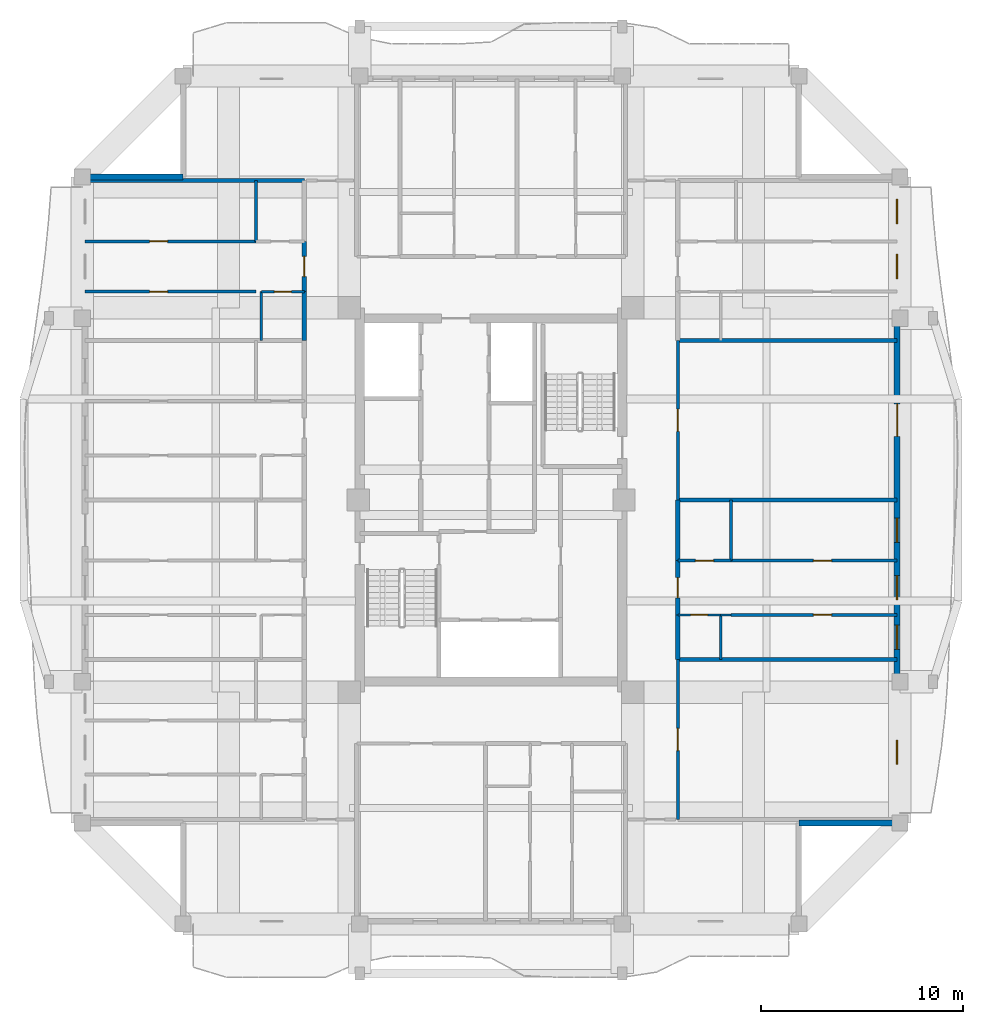
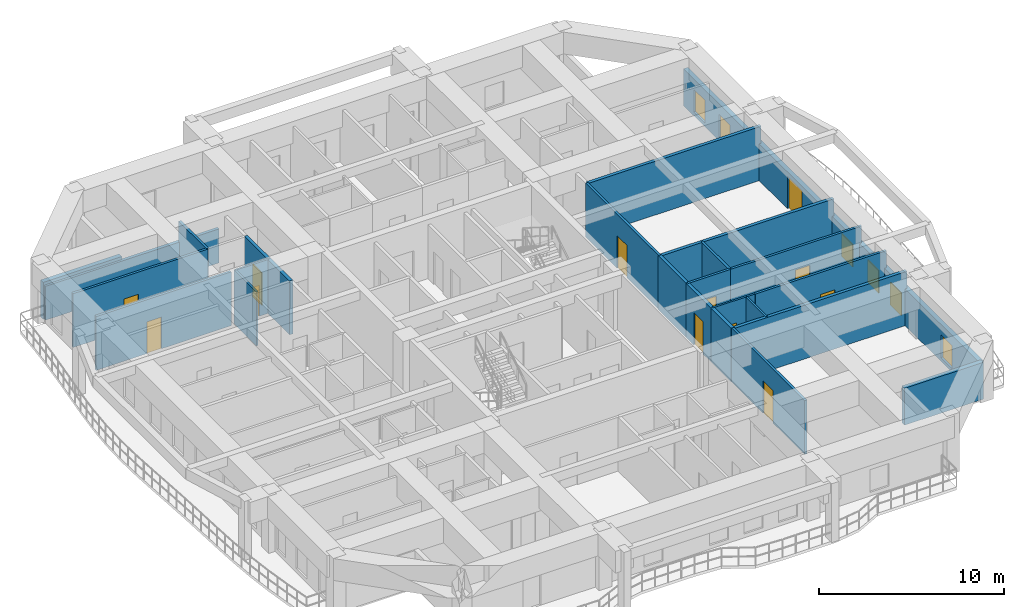
# One storey, part 5 of 13: 26 walls, 12 doors, 6 windows, 18 openings.
"""IFC4 building model written with IfcOpenShell, lengths in metres."""

import ifcopenshell
import ifcopenshell.guid

model = None  # the IFC model being written
_history = None  # IfcOwnerHistory: only IFC2X3 demands one
_inside = {}  # id of a spatial element -> (the spatial element, [elements in it])
_under = {}  # id of a project, library or spatial element -> (it, [spatial elements below it])
_declared = {}  # id of a project -> (the project, [libraries it declares])
_typed = {}  # id of a type object -> (the type object, [elements of that type])
_made_of = {}  # id of a material, layer set ... -> (it, [elements and type objects made of it])


def new_model(schema):
    """Start an empty IFC model of exactly this schema.

    Asked for "IFC4X3", IfcOpenShell would pick the latest addendum, in which some entities
    have other attributes; the version numbers below select the first issue.
    IFC2X3 requires an IfcOwnerHistory on every rooted entity: one is made here for all.
    """
    global model, _history
    if schema == "IFC4X3":
        model = ifcopenshell.file(schema_version=(4, 3, 0, 0))
    else:
        model = ifcopenshell.file(schema=schema)
    _inside.clear()
    _under.clear()
    _declared.clear()
    _typed.clear()
    _made_of.clear()
    _history = None
    if model.schema == "IFC2X3":
        org = make("IfcOrganization", Name="unknown")
        user = make(
            "IfcPersonAndOrganization",
            ThePerson=make("IfcPerson", FamilyName="unknown"),
            TheOrganization=org,
        )
        app = make(
            "IfcApplication",
            ApplicationDeveloper=org,
            Version="unknown",
            ApplicationFullName="unknown",
            ApplicationIdentifier="unknown",
        )
        _history = make(
            "IfcOwnerHistory",
            OwningUser=user,
            OwningApplication=app,
            ChangeAction="ADDED",
            CreationDate=0,
        )
    return model


def make(cls, **values):
    """One entity of the class cls with the attributes given. An attribute that is None is left unset."""
    return model.create_entity(
        cls, **{name: value for name, value in values.items() if value is not None}
    )


def rooted(cls, **values):
    """An entity with a GlobalId (a new one), such as an element, a storey or a relation."""
    return make(cls, GlobalId=ifcopenshell.guid.new(), OwnerHistory=_history, **values)


def si_unit(unit_type, name, prefix=None):
    """IfcSIUnit, for example si_unit("LENGTHUNIT", "METRE", prefix="MILLI")."""
    return make("IfcSIUnit", UnitType=unit_type, Prefix=prefix, Name=name)


def assignment(units):
    """IfcUnitAssignment: the units of a project."""
    return None if units is None else make("IfcUnitAssignment", Units=units)


def point(xyz):
    """IfcCartesianPoint."""
    return None if xyz is None else make("IfcCartesianPoint", Coordinates=xyz)


def direction(xyz):
    """IfcDirection."""
    return None if xyz is None else make("IfcDirection", DirectionRatios=xyz)


def frame(location, z_axis=None, x_axis=None):
    """IfcAxis2Placement3D, a coordinate frame: its origin and axes. An axis left out is left unset."""
    return make(
        "IfcAxis2Placement3D",
        Location=point(location),
        Axis=direction(z_axis),
        RefDirection=direction(x_axis),
    )


def frame_2d(location, x_axis=None):
    """IfcAxis2Placement2D, a coordinate frame in the plane: its origin and x axis."""
    return make(
        "IfcAxis2Placement2D", Location=point(location), RefDirection=direction(x_axis)
    )


def origin():
    """The frame at (0, 0, 0) with its axes left unset."""
    return frame((0.0, 0.0, 0.0))


def place(relative_to, where):
    """IfcLocalPlacement: puts the frame where relative to a parent placement (None: the world)."""
    return make(
        "IfcLocalPlacement", PlacementRelTo=relative_to, RelativePlacement=where
    )


def context(
    kind, dimensions, precision=None, world=None, true_north=None, identifier=None
):
    """IfcGeometricRepresentationContext, for example the 3D "Model" context."""
    return make(
        "IfcGeometricRepresentationContext",
        ContextIdentifier=identifier,
        ContextType=kind,
        CoordinateSpaceDimension=dimensions,
        Precision=precision,
        WorldCoordinateSystem=world,
        TrueNorth=true_north,
    )


def subcontext(parent, identifier, kind, view, scale=None):
    """IfcGeometricRepresentationSubContext, for example "Body" below "Model"."""
    return make(
        "IfcGeometricRepresentationSubContext",
        ContextIdentifier=identifier,
        ContextType=kind,
        ParentContext=parent,
        TargetScale=scale,
        TargetView=view,
    )


def project(units=None, contexts=None):
    """IfcProject with its units and contexts."""
    return rooted(
        "IfcProject",
        Name="project",
        RepresentationContexts=contexts,
        UnitsInContext=assignment(units),
    )


def spatial(cls, under=None, at=None, **own):
    """A site, building, storey or space (cls), placed at a placement, below another one or the project."""
    s = rooted(cls, ObjectPlacement=at, **own)
    if under is not None:
        _under.setdefault(under.id(), (under, []))[1].append(s)
    return s


def profile(cls, at=None, kind="AREA", **sizes):
    """A parametric profile (cls). Its sizes go by their IFC names, for example OverallWidth=200.0."""
    return make(cls, ProfileType=kind, Position=at, **sizes)


def rectangle(**sizes):
    """IfcRectangleProfileDef."""
    return profile("IfcRectangleProfileDef", **sizes)


def extrude(swept, where, along, depth):
    """IfcExtrudedAreaSolid: the profile swept, set in the frame where, extruded along a direction by depth."""
    return make(
        "IfcExtrudedAreaSolid",
        SweptArea=swept,
        Position=where,
        ExtrudedDirection=direction(along),
        Depth=depth,
    )


def shape(context_of_items, identifier, shape_type, items):
    """IfcShapeRepresentation: the items that make up one representation, for example the "Body"."""
    return make(
        "IfcShapeRepresentation",
        ContextOfItems=context_of_items,
        RepresentationIdentifier=identifier,
        RepresentationType=shape_type,
        Items=items,
    )


def source(mapping_origin, context_of_items, identifier, shape_type, items):
    """IfcRepresentationMap: a shape defined once, which mapped items show again and again."""
    return make(
        "IfcRepresentationMap",
        MappingOrigin=mapping_origin,
        MappedRepresentation=shape(context_of_items, identifier, shape_type, items),
    )


def transform(
    local_origin,
    x_axis=None,
    y_axis=None,
    z_axis=None,
    scale=None,
    scale2=None,
    scale3=None,
    uniform=True,
):
    """IfcCartesianTransformationOperator3D, or its non-uniform kind. x_axis, y_axis, z_axis: its Axis1, 2, 3."""
    if uniform:
        return make(
            "IfcCartesianTransformationOperator3D",
            Axis1=direction(x_axis),
            Axis2=direction(y_axis),
            LocalOrigin=point(local_origin),
            Scale=scale,
            Axis3=direction(z_axis),
        )
    return make(
        "IfcCartesianTransformationOperator3DnonUniform",
        Axis1=direction(x_axis),
        Axis2=direction(y_axis),
        LocalOrigin=point(local_origin),
        Scale=scale,
        Axis3=direction(z_axis),
        Scale2=scale2,
        Scale3=scale3,
    )


def mapped(mapping_source, mapping_target):
    """IfcMappedItem: shows the shape of a source again, moved by a transform."""
    return make(
        "IfcMappedItem", MappingSource=mapping_source, MappingTarget=mapping_target
    )


def material(Name=None, Category=None):
    """IfcMaterial."""
    return make("IfcMaterial", Name=Name, Category=Category)


def layer(
    of_material, thickness, ventilated=None, Name=None, Category=None, Priority=None
):
    """IfcMaterialLayer: one layer of a wall or slab, of a material (None: an air gap)."""
    return make(
        "IfcMaterialLayer",
        Material=of_material,
        LayerThickness=thickness,
        IsVentilated=ventilated,
        Name=Name,
        Category=Category,
        Priority=Priority,
    )


def layer_set(layers, Name=None):
    """IfcMaterialLayerSet."""
    return make("IfcMaterialLayerSet", MaterialLayers=layers, LayerSetName=Name)


def made_of(thing, what):
    """Note that an element or type object is made of a material, layer set ...; save() writes the relation."""
    if what is not None:
        _made_of.setdefault(what.id(), (what, []))[1].append(thing)
    return thing


def type_object(cls, material=None, **own):
    """A type object (cls), such as IfcWallType, which elements share."""
    return made_of(rooted(cls, **own), material)


def element(
    cls,
    number,
    at=None,
    inside=None,
    cuts=None,
    type_object=None,
    material=None,
    context=None,
    identifier="Body",
    shape_type=None,
    held_by="IfcProductDefinitionShape",
    body=None,
    shapes=None,
    **own,
):
    """One element of the class cls, such as IfcWall. Its Tag is "e" and its number.

    at: its placement. inside: the storey or other place that contains it. cuts: it is an
    opening in that element (IfcRelVoidsElement). A single representation is given by context,
    identifier, shape_type and body (its items); several are given by shapes. held_by: the class
    of the entity that holds the representations. save() writes the other relations.
    """
    e = rooted(cls, Tag="e%d" % number, ObjectPlacement=at, **own)
    if body is not None:
        shapes = [shape(context, identifier, shape_type, body)]
    if shapes is not None:
        e.Representation = make(held_by, Representations=shapes)
    if inside is not None:
        _inside.setdefault(inside.id(), (inside, []))[1].append(e)
    if cuts is not None:
        rooted(
            "IfcRelVoidsElement", RelatingBuildingElement=cuts, RelatedOpeningElement=e
        )
    if type_object is not None:
        _typed.setdefault(type_object.id(), (type_object, []))[1].append(e)
    return made_of(e, material)


def fill(opening, filler):
    """IfcRelFillsElement: the door or window that sits in an opening."""
    return rooted(
        "IfcRelFillsElement",
        RelatingOpeningElement=opening,
        RelatedBuildingElement=filler,
    )


def aggregate(whole, parts):
    """IfcRelAggregates: a whole, such as a stair, and the parts it consists of."""
    return rooted("IfcRelAggregates", RelatingObject=whole, RelatedObjects=parts)


def save(model, path):
    """Write the relations noted so far, then the file.

    IfcRelAggregates (storeys below a building ...), IfcRelContainedInSpatialStructure (elements
    in a storey), IfcRelDefinesByType, IfcRelAssociatesMaterial and IfcRelDeclares: one each for
    every whole, place, type object, material and project.
    """
    for whole, parts in _under.values():
        aggregate(whole, parts)
    for where, things in _inside.values():
        rooted(
            "IfcRelContainedInSpatialStructure",
            RelatedElements=things,
            RelatingStructure=where,
        )
    for kind, things in _typed.values():
        rooted("IfcRelDefinesByType", RelatedObjects=things, RelatingType=kind)
    for what, things in _made_of.values():
        rooted("IfcRelAssociatesMaterial", RelatedObjects=things, RelatingMaterial=what)
    for by, libraries in _declared.values():
        rooted("IfcRelDeclares", RelatingContext=by, RelatedDefinitions=libraries)
    model.write(path)


model = new_model("IFC4")

# Units and contexts
model_context = context("Model", 3, precision=1e-05, world=origin(), true_north=direction((0.0, 1.0)))
body_context = subcontext(model_context, "Body", "Model", "MODEL_VIEW")
ifc_project = project(units=[si_unit("LENGTHUNIT", "METRE"), si_unit("AREAUNIT", "SQUARE_METRE"), si_unit("VOLUMEUNIT", "CUBIC_METRE"), si_unit("PLANEANGLEUNIT", "RADIAN"), si_unit("MASSUNIT", "GRAM", prefix="KILO")], contexts=[model_context])

# Site, building, storey
site_placement = place(None, origin())
site = spatial("IfcSite", under=ifc_project, at=site_placement, CompositionType="ELEMENT")
building_placement = place(site_placement, origin())
building = spatial("IfcBuilding", under=site, at=building_placement, Name="Saelheon Loggia Tower", CompositionType="ELEMENT")
storey_placement = place(building_placement, frame((0.0, 0.0, 192.699951171875)))
storey = spatial("IfcBuildingStorey", under=building, at=storey_placement, Name="L60", CompositionType="ELEMENT", Elevation=192.699951171875)

# Wall, openings, windows, door
ifc_material_1 = material(Name="Architectural Precast Concrete C40/50", Category="concrete")
ifc_layer_1 = layer(ifc_material_1, 0.280029296875)
ifc_layer_set_1 = layer_set([ifc_layer_1], Name="Architectural Precast Concrete C40/50")
wall_type_1 = type_object("IfcWallType", Name="Wall_Ext_Loggia_280", PredefinedType="SOLIDWALL", material=ifc_layer_set_1)
wall_1_placement = place(storey_placement, frame((58.110107421875, 11.0, 0.0), z_axis=(0.0, 0.0, 1.0), x_axis=(0.0, 1.0, 0.0)))
wall_1 = element("IfcWall", 1, at=wall_1_placement, inside=storey, type_object=wall_type_1, Name="L60 East Loggia Inner Wall", PredefinedType="SOLIDWALL", context=body_context, shape_type="SweptSolid", body=[
    extrude(rectangle(XDim=32.0, YDim=0.280029296875, at=frame_2d((16.0, 0.0))), origin(), (0.0, 0.0, 1.0), 2.43994140625),
])
opening_1_placement = place(wall_1_placement, frame((2.89990234375, 0.0, 0.25)))
opening_1 = element("IfcOpeningElement", 2, at=opening_1_placement, cuts=wall_1, Name="Opening WN-03", PredefinedType="OPENING", context=body_context, shape_type="SweptSolid", body=[
    extrude(rectangle(XDim=1.199951171875, YDim=1.5, at=frame_2d((0.60009765625, 0.75))), frame((0.0, 0.152099609375, 0.0), z_axis=(0.0, -1.0, 0.0), x_axis=(1.0, 0.0, 0.0)), (0.0, 0.0, 1.0), 0.303955078125),
])
opening_2_placement = place(wall_1_placement, frame((8.597412109375, 0.0, 0.25)))
opening_2 = element("IfcOpeningElement", 3, at=opening_2_placement, cuts=wall_1, Name="Opening WN-03", PredefinedType="OPENING", context=body_context, shape_type="SweptSolid", body=[
    extrude(rectangle(XDim=1.199951171875, YDim=1.5, at=frame_2d((0.60009765625, 0.75))), frame((0.0, 0.152099609375, 0.0), z_axis=(0.0, -1.0, 0.0), x_axis=(1.0, 0.0, 0.0)), (0.0, 0.0, 1.0), 0.303955078125),
])
opening_3_placement = place(wall_1_placement, frame((11.049560546875, 0.0, 0.25)))
opening_3 = element("IfcOpeningElement", 4, at=opening_3_placement, cuts=wall_1, Name="Opening WN-03", PredefinedType="OPENING", context=body_context, shape_type="SweptSolid", body=[
    extrude(rectangle(XDim=1.199951171875, YDim=1.5, at=frame_2d((0.60009765625, 0.75))), frame((0.0, 0.152099609375, 0.0), z_axis=(0.0, -1.0, 0.0), x_axis=(1.0, 0.0, 0.0)), (0.0, 0.0, 1.0), 0.303955078125),
])
opening_4_placement = place(wall_1_placement, frame((13.897216796875, 0.0, 0.25)))
opening_4 = element("IfcOpeningElement", 5, at=opening_4_placement, cuts=wall_1, Name="Opening WN-03", PredefinedType="OPENING", context=body_context, shape_type="SweptSolid", body=[
    extrude(rectangle(XDim=1.199951171875, YDim=1.5, at=frame_2d((0.60009765625, 0.75))), frame((0.0, 0.152099609375, 0.0), z_axis=(0.0, -1.0, 0.0), x_axis=(1.0, 0.0, 0.0)), (0.0, 0.0, 1.0), 0.303955078125),
])
opening_5_placement = place(wall_1_placement, frame((20.755126953125, 0.0, 0.0), z_axis=(0.0, 0.0, 1.0), x_axis=(-1.0, 0.0, 0.0)))
opening_5 = element("IfcOpeningElement", 6, at=opening_5_placement, cuts=wall_1, Name="Opening DLG-1", PredefinedType="OPENING", context=body_context, shape_type="SweptSolid", body=[
    extrude(rectangle(XDim=1.60009765625, YDim=2.14990234375, at=frame_2d((0.800048828125, 1.074951171875))), frame((0.0, 0.152099609375, 0.0), z_axis=(0.0, -1.0, 0.0), x_axis=(1.0, 0.0, 0.0)), (0.0, 0.0, 1.0), 0.303955078125),
])
opening_6_placement = place(wall_1_placement, frame((26.967041015625, 0.0, 0.25)))
opening_6 = element("IfcOpeningElement", 7, at=opening_6_placement, cuts=wall_1, Name="Opening WN-03", PredefinedType="OPENING", context=body_context, shape_type="SweptSolid", body=[
    extrude(rectangle(XDim=1.199951171875, YDim=1.5, at=frame_2d((0.60009765625, 0.75))), frame((0.0, 0.152099609375, 0.0), z_axis=(0.0, -1.0, 0.0), x_axis=(1.0, 0.0, 0.0)), (0.0, 0.0, 1.0), 0.303955078125),
])
opening_7_placement = place(wall_1_placement, frame((29.68701171875, 0.0, 0.25)))
opening_7 = element("IfcOpeningElement", 8, at=opening_7_placement, cuts=wall_1, Name="Opening WN-03", PredefinedType="OPENING", context=body_context, shape_type="SweptSolid", body=[
    extrude(rectangle(XDim=1.199951171875, YDim=1.5, at=frame_2d((0.60009765625, 0.75))), frame((0.0, 0.152099609375, 0.0), z_axis=(0.0, -1.0, 0.0), x_axis=(1.0, 0.0, 0.0)), (0.0, 0.0, 1.0), 0.303955078125),
])
ifc_material_2 = material(Name="Thermal-Break Aluminium and Triple Low-E Glass", Category="aluminium")
window_type = type_object("IfcWindowType", Name="Win_Bedroom_1200x1500", PartitioningType="SINGLE_PANEL", PredefinedType="WINDOW", material=ifc_material_2)
shared_shape_1 = source(origin(), body_context, "Body", "SweptSolid", [
    extrude(rectangle(XDim=1.199951171875, YDim=1.5, at=frame_2d((0.60009765625, 0.75))), frame((0.0, 0.030029296875, 0.0), z_axis=(0.0, -1.0, 0.0), x_axis=(1.0, 0.0, 0.0)), (0.0, 0.0, 1.0), 0.06005859375),
])
window_1_placement = place(opening_1_placement, origin())
window_1 = element("IfcWindow", 9, at=window_1_placement, inside=storey, type_object=window_type, Name="L60 E Dwelling Window 1", OverallHeight=1.5, OverallWidth=1.199951171875, PartitioningType="SINGLE_PANEL", PredefinedType="WINDOW", context=body_context, shape_type="MappedRepresentation", body=[
    mapped(shared_shape_1, transform((0.0, 0.0, 0.0), scale=1.0)),
])
fill(opening_1, window_1)
window_2_placement = place(opening_2_placement, origin())
window_2 = element("IfcWindow", 10, at=window_2_placement, inside=storey, type_object=window_type, Name="L60 E Dwelling Window 2", OverallHeight=1.5, OverallWidth=1.199951171875, PartitioningType="SINGLE_PANEL", PredefinedType="WINDOW", context=body_context, shape_type="MappedRepresentation", body=[
    mapped(shared_shape_1, transform((0.0, 0.0, 0.0), scale=1.0)),
])
fill(opening_2, window_2)
window_3_placement = place(opening_3_placement, origin())
window_3 = element("IfcWindow", 11, at=window_3_placement, inside=storey, type_object=window_type, Name="L60 E Dwelling Window 3", OverallHeight=1.5, OverallWidth=1.199951171875, PartitioningType="SINGLE_PANEL", PredefinedType="WINDOW", context=body_context, shape_type="MappedRepresentation", body=[
    mapped(shared_shape_1, transform((0.0, 0.0, 0.0), scale=1.0)),
])
fill(opening_3, window_3)
window_4_placement = place(opening_4_placement, origin())
window_4 = element("IfcWindow", 12, at=window_4_placement, inside=storey, type_object=window_type, Name="L60 E Dwelling Window 4", OverallHeight=1.5, OverallWidth=1.199951171875, PartitioningType="SINGLE_PANEL", PredefinedType="WINDOW", context=body_context, shape_type="MappedRepresentation", body=[
    mapped(shared_shape_1, transform((0.0, 0.0, 0.0), scale=1.0)),
])
fill(opening_4, window_4)
window_5_placement = place(opening_6_placement, origin())
window_5 = element("IfcWindow", 13, at=window_5_placement, inside=storey, type_object=window_type, Name="L60 E Dwelling Window 6", OverallHeight=1.5, OverallWidth=1.199951171875, PartitioningType="SINGLE_PANEL", PredefinedType="WINDOW", context=body_context, shape_type="MappedRepresentation", body=[
    mapped(shared_shape_1, transform((0.0, 0.0, 0.0), scale=1.0)),
])
fill(opening_6, window_5)
window_6_placement = place(opening_7_placement, origin())
window_6 = element("IfcWindow", 14, at=window_6_placement, inside=storey, type_object=window_type, Name="L60 E Dwelling Window 7", OverallHeight=1.5, OverallWidth=1.199951171875, PartitioningType="SINGLE_PANEL", PredefinedType="WINDOW", context=body_context, shape_type="MappedRepresentation", body=[
    mapped(shared_shape_1, transform((0.0, 0.0, 0.0), scale=1.0)),
])
fill(opening_7, window_6)
ifc_material_3 = material(Name="Thermal-Break Aluminium Sliding Glazed Door", Category="aluminium")
door_type_1 = type_object("IfcDoorType", Name="Door_LoggiaSlide_1600", OperationType="SLIDING_TO_LEFT", PredefinedType="DOOR", material=ifc_material_3)
shared_shape_2 = source(origin(), body_context, "Body", "SweptSolid", [
    extrude(rectangle(XDim=1.60009765625, YDim=2.14990234375, at=frame_2d((0.800048828125, 1.074951171875))), frame((0.0, 0.02490234375, 0.0), z_axis=(0.0, -1.0, 0.0), x_axis=(1.0, 0.0, 0.0)), (0.0, 0.0, 1.0), 0.050048828125),
])
door_1_placement = place(opening_5_placement, origin())
door_1 = element("IfcDoor", 15, at=door_1_placement, inside=storey, type_object=door_type_1, Name="L60 E Loggia Access Door", OperationType="SLIDING_TO_LEFT", OverallHeight=2.14990234375, OverallWidth=1.60009765625, PredefinedType="DOOR", context=body_context, shape_type="MappedRepresentation", body=[
    mapped(shared_shape_2, transform((0.0, 0.0, 0.0), scale=1.0)),
])
fill(opening_5, door_1)

# Walls
for number, where, z_axis, x_axis, name in (
    (16, (53.25, 11.0, 0.0), (0.0, 0.0, 1.0), (1.0, 0.0, 0.0), "L60 Corner Notch Precast Wall SE2"),
    (17, (17.830078125, 43.0, 0.0), (0.0, 0.0, 1.0), (1.0, 0.0, 0.0), "L60 Corner Notch Precast Wall NW2"),
):
    element("IfcWall", number, at=place(storey_placement, frame(where, z_axis=z_axis, x_axis=x_axis)), inside=storey, type_object=wall_type_1, Name=name, PredefinedType="SOLIDWALL", context=body_context, shape_type="SweptSolid", body=[
        extrude(rectangle(XDim=4.919921875, YDim=0.280029296875, at=frame_2d((2.4599609375, 0.0))), origin(), (0.0, 0.0, 1.0), 2.43994140625),
    ])
ifc_material_4 = material(Name="Lightweight Autoclaved Aerated Concrete Block and Acoustic Gypsum", Category="concrete")
ifc_layer_2 = layer(ifc_material_4, 0.14990234375)
ifc_layer_set_2 = layer_set([ifc_layer_2], Name="Lightweight Autoclaved Aerated Concrete Block and Acoustic Gypsum")
wall_type_2 = type_object("IfcWallType", Name="Wall_Part_150", PredefinedType="PARTITIONING", material=ifc_layer_set_2)
wall_2_placement = place(storey_placement, frame((26.35009765625, 39.814208984375, 0.0), z_axis=(0.0, 0.0, 1.0), x_axis=(0.0, 1.0, 0.0)))
element("IfcWall", 18, at=wall_2_placement, inside=storey, type_object=wall_type_2, Name="L60 W Partition V37", PredefinedType="PARTITIONING", context=body_context, shape_type="SweptSolid", body=[
    extrude(rectangle(XDim=3.005859375, YDim=0.14990234375, at=frame_2d((1.5029296875, 0.0))), origin(), (0.0, 0.0, 1.0), 3.56005859375),
])

# Wall, opening, door
wall_3_placement = place(storey_placement, frame((26.35009765625, 37.320068359375, 0.0), z_axis=(0.0, 0.0, 1.0), x_axis=(-1.0, 0.0, 0.0)))
wall_3 = element("IfcWall", 19, at=wall_3_placement, inside=storey, type_object=wall_type_2, Name="L60 W Partition U39", PredefinedType="PARTITIONING", context=body_context, shape_type="SweptSolid", body=[
    extrude(rectangle(XDim=8.4501953125, YDim=0.14990234375, at=frame_2d((4.22509765625, 0.0))), origin(), (0.0, 0.0, 1.0), 3.56005859375),
])
opening_8_placement = place(wall_3_placement, frame((4.3642578125, 0.0, 0.0)))
opening_8 = element("IfcOpeningElement", 20, at=opening_8_placement, cuts=wall_3, Name="Opening D-IN2", PredefinedType="OPENING", context=body_context, shape_type="SweptSolid", body=[
    extrude(rectangle(XDim=0.89990234375, YDim=2.10009765625, at=frame_2d((0.449951171875, 1.050048828125))), frame((0.0, 0.0869140625, 0.0), z_axis=(0.0, -1.0, 0.0), x_axis=(1.0, 0.0, 0.0)), (0.0, 0.0, 1.0), 0.173828125),
])
ifc_material_5 = material(Name="Engineered Oak Flush Door", Category="timber")
door_type_2 = type_object("IfcDoorType", Name="Door_Int_900", OperationType="NOTDEFINED", PredefinedType="DOOR", material=ifc_material_5)
shared_shape_3 = source(origin(), body_context, "Body", "SweptSolid", [
    extrude(rectangle(XDim=0.89990234375, YDim=2.10009765625, at=frame_2d((0.449951171875, 1.050048828125))), frame((0.0, 0.02490234375, 0.0), z_axis=(0.0, -1.0, 0.0), x_axis=(1.0, 0.0, 0.0)), (0.0, 0.0, 1.0), 0.050048828125),
])
door_2_placement = place(opening_8_placement, origin())
door_2 = element("IfcDoor", 21, at=door_2_placement, inside=storey, type_object=door_type_2, Name="Unit U07 Kitchen Door", OperationType="SINGLE_SWING_LEFT", OverallHeight=2.10009765625, OverallWidth=0.89990234375, PredefinedType="DOOR", context=body_context, shape_type="MappedRepresentation", body=[
    mapped(shared_shape_3, transform((0.0, 0.0, 0.0), scale=1.0)),
])
fill(opening_8, door_2)

wall_4_placement = place(storey_placement, frame((26.35009765625, 39.814208984375, 0.0), z_axis=(0.0, 0.0, 1.0), x_axis=(-1.0, 0.0, 0.0)))
wall_4 = element("IfcWall", 22, at=wall_4_placement, inside=storey, type_object=wall_type_2, Name="L60 W Partition U41", PredefinedType="PARTITIONING", context=body_context, shape_type="SweptSolid", body=[
    extrude(rectangle(XDim=8.4501953125, YDim=0.14990234375, at=frame_2d((4.22509765625, 0.0))), origin(), (0.0, 0.0, 1.0), 3.56005859375),
])
opening_9_placement = place(wall_4_placement, frame((4.3642578125, 0.0, 0.0)))
opening_9 = element("IfcOpeningElement", 23, at=opening_9_placement, cuts=wall_4, Name="Opening D-IN2", PredefinedType="OPENING", context=body_context, shape_type="SweptSolid", body=[
    extrude(rectangle(XDim=0.89990234375, YDim=2.10009765625, at=frame_2d((0.449951171875, 1.050048828125))), frame((0.0, 0.0869140625, 0.0), z_axis=(0.0, -1.0, 0.0), x_axis=(1.0, 0.0, 0.0)), (0.0, 0.0, 1.0), 0.173828125),
])
door_3_placement = place(opening_9_placement, origin())
door_3 = element("IfcDoor", 24, at=door_3_placement, inside=storey, type_object=door_type_2, Name="Unit U07 Bedroom 1 Door", OperationType="SINGLE_SWING_LEFT", OverallHeight=2.10009765625, OverallWidth=0.89990234375, PredefinedType="DOOR", context=body_context, shape_type="MappedRepresentation", body=[
    mapped(shared_shape_3, transform((0.0, 0.0, 0.0), scale=1.0)),
])
fill(opening_9, door_3)

wall_5_placement = place(storey_placement, frame((47.25, 11.179931640625, 0.0), z_axis=(0.0, 0.0, 1.0), x_axis=(0.0, 1.0, 0.0)))
wall_5 = element("IfcWall", 25, at=wall_5_placement, inside=storey, type_object=wall_type_2, Name="L60 E Partition V03", PredefinedType="PARTITIONING", context=body_context, shape_type="SweptSolid", body=[
    extrude(rectangle(XDim=7.91015625, YDim=0.14990234375, at=frame_2d((3.955078125, 0.0))), origin(), (0.0, 0.0, 1.0), 3.56005859375),
])
opening_10_placement = place(wall_5_placement, frame((3.405029296875, 0.0, 0.0)))
opening_10 = element("IfcOpeningElement", 26, at=opening_10_placement, cuts=wall_5, Name="Opening D-FD2", PredefinedType="OPENING", context=body_context, shape_type="SweptSolid", body=[
    extrude(rectangle(XDim=1.10009765625, YDim=2.14990234375, at=frame_2d((0.550048828125, 1.074951171875))), frame((0.0, 0.0869140625, 0.0), z_axis=(0.0, -1.0, 0.0), x_axis=(1.0, 0.0, 0.0)), (0.0, 0.0, 1.0), 0.173828125),
])
ifc_material_6 = material(Name="Galvanised Steel Fire Door", Category="steel")
door_type_3 = type_object("IfcDoorType", Name="Door_Fire_FD60_1100", OperationType="NOTDEFINED", PredefinedType="DOOR", material=ifc_material_6)
shared_shape_4 = source(origin(), body_context, "Body", "SweptSolid", [
    extrude(rectangle(XDim=1.10009765625, YDim=2.14990234375, at=frame_2d((0.550048828125, 1.074951171875))), frame((0.0, 0.02490234375, 0.0), z_axis=(0.0, -1.0, 0.0), x_axis=(1.0, 0.0, 0.0)), (0.0, 0.0, 1.0), 0.050048828125),
])
door_4_placement = place(opening_10_placement, origin())
door_4 = element("IfcDoor", 27, at=door_4_placement, inside=storey, type_object=door_type_3, Name="L60 Community Reading Library Door A", OperationType="SINGLE_SWING_RIGHT", OverallHeight=2.14990234375, OverallWidth=1.10009765625, PredefinedType="DOOR", context=body_context, shape_type="MappedRepresentation", body=[
    mapped(shared_shape_4, transform((0.0, 0.0, 0.0), scale=1.0)),
])
fill(opening_10, door_4)

# Wall
wall_6_placement = place(storey_placement, frame((49.889892578125, 23.994140625, 0.0), z_axis=(0.0, 0.0, 1.0), x_axis=(0.0, 1.0, 0.0)))
element("IfcWall", 28, at=wall_6_placement, inside=storey, type_object=wall_type_2, Name="L60 E Partition V09", PredefinedType="PARTITIONING", context=body_context, shape_type="SweptSolid", body=[
    extrude(rectangle(XDim=3.005859375, YDim=0.14990234375, at=frame_2d((1.5029296875, 0.0))), origin(), (0.0, 0.0, 1.0), 3.56005859375),
])

# Wall, opening, door
wall_7_placement = place(storey_placement, frame((49.889892578125, 21.3046875, 0.0), z_axis=(0.0, 0.0, 1.0), x_axis=(1.0, 0.0, 0.0)))
wall_7 = element("IfcWall", 29, at=wall_7_placement, inside=storey, type_object=wall_type_2, Name="L60 E Partition U12", PredefinedType="PARTITIONING", context=body_context, shape_type="SweptSolid", body=[
    extrude(rectangle(XDim=8.210205078125, YDim=0.14990234375, at=frame_2d((4.10498046875, 0.0))), origin(), (0.0, 0.0, 1.0), 3.56005859375),
])
opening_11_placement = place(wall_7_placement, frame((4.081787109375, 0.0, 0.0)))
opening_11 = element("IfcOpeningElement", 30, at=opening_11_placement, cuts=wall_7, Name="Opening D-IN2", PredefinedType="OPENING", context=body_context, shape_type="SweptSolid", body=[
    extrude(rectangle(XDim=0.89990234375, YDim=2.10009765625, at=frame_2d((0.449951171875, 1.050048828125))), frame((0.0, 0.0869140625, 0.0), z_axis=(0.0, -1.0, 0.0), x_axis=(1.0, 0.0, 0.0)), (0.0, 0.0, 1.0), 0.173828125),
])
door_5_placement = place(opening_11_placement, origin())
door_5 = element("IfcDoor", 31, at=door_5_placement, inside=storey, type_object=door_type_2, Name="Unit U08 Kitchen Door", OperationType="SINGLE_SWING_LEFT", OverallHeight=2.10009765625, OverallWidth=0.89990234375, PredefinedType="DOOR", context=body_context, shape_type="MappedRepresentation", body=[
    mapped(shared_shape_3, transform((0.0, 0.0, 0.0), scale=1.0)),
])
fill(opening_11, door_5)

wall_8_placement = place(storey_placement, frame((47.25, 23.994140625, 0.0), z_axis=(0.0, 0.0, 1.0), x_axis=(1.0, 0.0, 0.0)))
wall_8 = element("IfcWall", 32, at=wall_8_placement, inside=storey, type_object=wall_type_2, Name="L60 E Partition U13", PredefinedType="PARTITIONING", context=body_context, shape_type="SweptSolid", body=[
    extrude(rectangle(XDim=2.639892578125, YDim=0.14990234375, at=frame_2d((1.31982421875, 0.0))), origin(), (0.0, 0.0, 1.0), 3.56005859375),
])
opening_12_placement = place(wall_8_placement, frame((0.8701171875, 0.0, 0.0)))
opening_12 = element("IfcOpeningElement", 33, at=opening_12_placement, cuts=wall_8, Name="Opening D-IN2", PredefinedType="OPENING", context=body_context, shape_type="SweptSolid", body=[
    extrude(rectangle(XDim=0.89990234375, YDim=2.10009765625, at=frame_2d((0.449951171875, 1.050048828125))), frame((0.0, 0.0869140625, 0.0), z_axis=(0.0, -1.0, 0.0), x_axis=(1.0, 0.0, 0.0)), (0.0, 0.0, 1.0), 0.173828125),
])
door_6_placement = place(opening_12_placement, origin())
door_6 = element("IfcDoor", 34, at=door_6_placement, inside=storey, type_object=door_type_2, Name="Unit U08 Dressing Closet Door", OperationType="SINGLE_SWING_RIGHT", OverallHeight=2.10009765625, OverallWidth=0.89990234375, PredefinedType="DOOR", context=body_context, shape_type="MappedRepresentation", body=[
    mapped(shared_shape_3, transform((0.0, 0.0, 0.0), scale=1.0)),
])
fill(opening_12, door_6)

wall_9_placement = place(storey_placement, frame((49.889892578125, 23.994140625, 0.0), z_axis=(0.0, 0.0, 1.0), x_axis=(1.0, 0.0, 0.0)))
wall_9 = element("IfcWall", 35, at=wall_9_placement, inside=storey, type_object=wall_type_2, Name="L60 E Partition U14", PredefinedType="PARTITIONING", context=body_context, shape_type="SweptSolid", body=[
    extrude(rectangle(XDim=8.210205078125, YDim=0.14990234375, at=frame_2d((4.10498046875, 0.0))), origin(), (0.0, 0.0, 1.0), 3.56005859375),
])
opening_13_placement = place(wall_9_placement, frame((4.081787109375, 0.0, 0.0)))
opening_13 = element("IfcOpeningElement", 36, at=opening_13_placement, cuts=wall_9, Name="Opening D-IN2", PredefinedType="OPENING", context=body_context, shape_type="SweptSolid", body=[
    extrude(rectangle(XDim=0.89990234375, YDim=2.10009765625, at=frame_2d((0.449951171875, 1.050048828125))), frame((0.0, 0.0869140625, 0.0), z_axis=(0.0, -1.0, 0.0), x_axis=(1.0, 0.0, 0.0)), (0.0, 0.0, 1.0), 0.173828125),
])
door_7_placement = place(opening_13_placement, origin())
door_7 = element("IfcDoor", 37, at=door_7_placement, inside=storey, type_object=door_type_2, Name="Unit U08 Bedroom 1 Door", OperationType="SINGLE_SWING_LEFT", OverallHeight=2.10009765625, OverallWidth=0.89990234375, PredefinedType="DOOR", context=body_context, shape_type="MappedRepresentation", body=[
    mapped(shared_shape_3, transform((0.0, 0.0, 0.0), scale=1.0)),
])
fill(opening_13, door_7)

wall_10_placement = place(storey_placement, frame((47.25, 27.0, 0.0), z_axis=(0.0, 0.0, 1.0), x_axis=(0.0, 1.0, 0.0)))
wall_10 = element("IfcWall", 38, at=wall_10_placement, inside=storey, type_object=wall_type_2, Name="L60 E Partition V16", PredefinedType="PARTITIONING", context=body_context, shape_type="SweptSolid", body=[
    extrude(rectangle(XDim=7.909912109375, YDim=0.14990234375, at=frame_2d((3.955078125, 0.0))), origin(), (0.0, 0.0, 1.0), 3.56005859375),
])
opening_14_placement = place(wall_10_placement, frame((3.405029296875, 0.0, 0.0)))
opening_14 = element("IfcOpeningElement", 39, at=opening_14_placement, cuts=wall_10, Name="Opening D-FD2", PredefinedType="OPENING", context=body_context, shape_type="SweptSolid", body=[
    extrude(rectangle(XDim=1.10009765625, YDim=2.14990234375, at=frame_2d((0.550048828125, 1.074951171875))), frame((0.0, 0.0869140625, 0.0), z_axis=(0.0, -1.0, 0.0), x_axis=(1.0, 0.0, 0.0)), (0.0, 0.0, 1.0), 0.173828125),
])
door_8_placement = place(opening_14_placement, origin())
door_8 = element("IfcDoor", 40, at=door_8_placement, inside=storey, type_object=door_type_3, Name="L60 Community Reading Library Door A", OperationType="SINGLE_SWING_RIGHT", OverallHeight=2.14990234375, OverallWidth=1.10009765625, PredefinedType="DOOR", context=body_context, shape_type="MappedRepresentation", body=[
    mapped(shared_shape_4, transform((0.0, 0.0, 0.0), scale=1.0)),
])
fill(opening_14, door_8)

# Walls
ifc_material_7 = material(Name="Double Acoustic Stud and Fireboard Partition", Category="gypsum")
ifc_layer_3 = layer(ifc_material_7, 0.199951171875)
ifc_layer_set_3 = layer_set([ifc_layer_3], Name="Double Acoustic Stud and Fireboard Partition")
wall_type_3 = type_object("IfcWallType", Name="Wall_Party_200", PredefinedType="PARTITIONING", material=ifc_layer_set_3)
wall_11_placement = place(storey_placement, frame((28.75, 42.820068359375, 0.0), z_axis=(0.0, 0.0, 1.0), x_axis=(-1.0, 0.0, 0.0)))
element("IfcWall", 41, at=wall_11_placement, inside=storey, type_object=wall_type_3, Name="L60 W Partition U02", PredefinedType="PARTITIONING", context=body_context, shape_type="SweptSolid", body=[
    extrude(rectangle(XDim=10.85009765625, YDim=0.199951171875, at=frame_2d((5.425048828125, 0.0))), origin(), (0.0, 0.0, 1.0), 2.239990234375),
])
wall_12_placement = place(storey_placement, frame((28.75, 34.909912109375, 0.0), z_axis=(0.0, 0.0, 1.0), x_axis=(0.0, 1.0, 0.0)))
element("IfcWall", 42, at=wall_12_placement, inside=storey, type_object=wall_type_3, Name="L60 W Partition V33", PredefinedType="PARTITIONING", context=body_context, shape_type="SweptSolid", body=[
    extrude(rectangle(XDim=2.41015625, YDim=0.199951171875, at=frame_2d((1.205078125, 0.0))), origin(), (0.0, 0.0, 1.0), 3.56005859375),
])

# Wall, opening, door
wall_13_placement = place(storey_placement, frame((28.75, 37.320068359375, 0.0), z_axis=(0.0, 0.0, 1.0), x_axis=(0.0, 1.0, 0.0)))
wall_13 = element("IfcWall", 43, at=wall_13_placement, inside=storey, type_object=wall_type_3, Name="L60 W Partition V34", PredefinedType="PARTITIONING", context=body_context, shape_type="SweptSolid", body=[
    extrude(rectangle(XDim=2.494140625, YDim=0.199951171875, at=frame_2d((1.2470703125, 0.0))), origin(), (0.0, 0.0, 1.0), 3.56005859375),
])
opening_15_placement = place(wall_13_placement, frame((0.7470703125, 0.0, 0.0)))
opening_15 = element("IfcOpeningElement", 44, at=opening_15_placement, cuts=wall_13, Name="Opening D-FD1", PredefinedType="OPENING", context=body_context, shape_type="SweptSolid", body=[
    extrude(rectangle(XDim=1.0, YDim=2.14990234375, at=frame_2d((0.5, 1.074951171875))), frame((0.0, 0.112060546875, 0.0), z_axis=(0.0, -1.0, 0.0), x_axis=(1.0, 0.0, 0.0)), (0.0, 0.0, 1.0), 0.223876953125),
])
ifc_material_8 = material(Name="Fire-Rated Engineered Timber Entrance Door", Category="wood")
door_type_4 = type_object("IfcDoorType", Name="Door_Flat_FD30S", OperationType="NOTDEFINED", PredefinedType="DOOR", material=ifc_material_8)
shared_shape_5 = source(origin(), body_context, "Body", "SweptSolid", [
    extrude(rectangle(XDim=1.0, YDim=2.14990234375, at=frame_2d((0.5, 1.074951171875))), frame((0.0, 0.02490234375, 0.0), z_axis=(0.0, -1.0, 0.0), x_axis=(1.0, 0.0, 0.0)), (0.0, 0.0, 1.0), 0.050048828125),
])
door_9_placement = place(opening_15_placement, origin())
door_9 = element("IfcDoor", 45, at=door_9_placement, inside=storey, type_object=door_type_4, Name="Unit U07 Entrance Door", OperationType="SINGLE_SWING_LEFT", OverallHeight=2.14990234375, OverallWidth=1.0, PredefinedType="DOOR", context=body_context, shape_type="MappedRepresentation", body=[
    mapped(shared_shape_5, transform((0.0, 0.0, 0.0), scale=1.0)),
])
fill(opening_15, door_9)

# Walls
wall_14_placement = place(storey_placement, frame((47.25, 19.090087890625, 0.0), z_axis=(0.0, 0.0, 1.0), x_axis=(1.0, 0.0, 0.0)))
element("IfcWall", 46, at=wall_14_placement, inside=storey, type_object=wall_type_3, Name="L60 E Partition U04", PredefinedType="PARTITIONING", context=body_context, shape_type="SweptSolid", body=[
    extrude(rectangle(XDim=10.85009765625, YDim=0.199951171875, at=frame_2d((5.425048828125, 0.0))), origin(), (0.0, 0.0, 1.0), 3.56005859375),
])
wall_15_placement = place(storey_placement, frame((47.25, 19.090087890625, 0.0), z_axis=(0.0, 0.0, 1.0), x_axis=(0.0, 1.0, 0.0)))
element("IfcWall", 47, at=wall_15_placement, inside=storey, type_object=wall_type_3, Name="L60 E Partition V05", PredefinedType="PARTITIONING", context=body_context, shape_type="SweptSolid", body=[
    extrude(rectangle(XDim=2.214599609375, YDim=0.199951171875, at=frame_2d((1.107421875, 0.0))), origin(), (0.0, 0.0, 1.0), 3.56005859375),
])

# Wall, opening, door
wall_16_placement = place(storey_placement, frame((47.25, 21.3046875, 0.0), z_axis=(0.0, 0.0, 1.0), x_axis=(0.0, 1.0, 0.0)))
wall_16 = element("IfcWall", 48, at=wall_16_placement, inside=storey, type_object=wall_type_3, Name="L60 E Partition V06", PredefinedType="PARTITIONING", context=body_context, shape_type="SweptSolid", body=[
    extrude(rectangle(XDim=2.689453125, YDim=0.199951171875, at=frame_2d((1.3447265625, 0.0))), origin(), (0.0, 0.0, 1.0), 3.56005859375),
])
opening_16_placement = place(wall_16_placement, frame((0.8447265625, 0.0, 0.0)))
opening_16 = element("IfcOpeningElement", 49, at=opening_16_placement, cuts=wall_16, Name="Opening D-FD1", PredefinedType="OPENING", context=body_context, shape_type="SweptSolid", body=[
    extrude(rectangle(XDim=1.0, YDim=2.14990234375, at=frame_2d((0.5, 1.074951171875))), frame((0.0, 0.112060546875, 0.0), z_axis=(0.0, -1.0, 0.0), x_axis=(1.0, 0.0, 0.0)), (0.0, 0.0, 1.0), 0.223876953125),
])
door_10_placement = place(opening_16_placement, origin())
door_10 = element("IfcDoor", 50, at=door_10_placement, inside=storey, type_object=door_type_4, Name="Unit U08 Entrance Door", OperationType="SINGLE_SWING_LEFT", OverallHeight=2.14990234375, OverallWidth=1.0, PredefinedType="DOOR", context=body_context, shape_type="MappedRepresentation", body=[
    mapped(shared_shape_5, transform((0.0, 0.0, 0.0), scale=1.0)),
])
fill(opening_16, door_10)

# Walls
wall_17_placement = place(storey_placement, frame((47.25, 23.994140625, 0.0), z_axis=(0.0, 0.0, 1.0), x_axis=(0.0, 1.0, 0.0)))
element("IfcWall", 51, at=wall_17_placement, inside=storey, type_object=wall_type_3, Name="L60 E Partition V07", PredefinedType="PARTITIONING", context=body_context, shape_type="SweptSolid", body=[
    extrude(rectangle(XDim=3.005859375, YDim=0.199951171875, at=frame_2d((1.5029296875, 0.0))), origin(), (0.0, 0.0, 1.0), 3.56005859375),
])
for number, where, z_axis, x_axis, name in (
    (52, (47.25, 27.0, 0.0), (0.0, 0.0, 1.0), (1.0, 0.0, 0.0), "L60 E Partition U15"),
    (53, (47.25, 34.909912109375, 0.0), (0.0, 0.0, 1.0), (1.0, 0.0, 0.0), "L60 E Partition U17"),
):
    element("IfcWall", number, at=place(storey_placement, frame(where, z_axis=z_axis, x_axis=x_axis)), inside=storey, type_object=wall_type_3, Name=name, PredefinedType="PARTITIONING", context=body_context, shape_type="SweptSolid", body=[
        extrude(rectangle(XDim=10.85009765625, YDim=0.199951171875, at=frame_2d((5.425048828125, 0.0))), origin(), (0.0, 0.0, 1.0), 3.56005859375),
    ])
ifc_material_9 = material(Name="Moisture-Resistant Cement Board Partition", Category="gypsum")
ifc_layer_4 = layer(ifc_material_9, 0.1201171875)
ifc_layer_set_4 = layer_set([ifc_layer_4], Name="Moisture-Resistant Cement Board Partition")
wall_type_4 = type_object("IfcWallType", Name="Wall_WetPart_120", PredefinedType="PARTITIONING", material=ifc_layer_set_4)
wall_18_placement = place(storey_placement, frame((26.6298828125, 34.909912109375, 0.0), z_axis=(0.0, 0.0, 1.0), x_axis=(0.0, 1.0, 0.0)))
element("IfcWall", 54, at=wall_18_placement, inside=storey, type_object=wall_type_4, Name="L60 W Partition V36", PredefinedType="PARTITIONING", context=body_context, shape_type="SweptSolid", body=[
    extrude(rectangle(XDim=2.41015625, YDim=0.1201171875, at=frame_2d((1.205078125, 0.0))), origin(), (0.0, 0.0, 1.0), 3.56005859375),
])

# Wall, opening, door
wall_19_placement = place(storey_placement, frame((28.75, 37.320068359375, 0.0), z_axis=(0.0, 0.0, 1.0), x_axis=(-1.0, 0.0, 0.0)))
wall_19 = element("IfcWall", 55, at=wall_19_placement, inside=storey, type_object=wall_type_4, Name="L60 W Partition U38", PredefinedType="PARTITIONING", context=body_context, shape_type="SweptSolid", body=[
    extrude(rectangle(XDim=2.1201171875, YDim=0.1201171875, at=frame_2d((1.06005859375, 0.0))), origin(), (0.0, 0.0, 1.0), 3.56005859375),
])
opening_17_placement = place(wall_19_placement, frame((0.635009765625, 0.0, 0.0)))
opening_17 = element("IfcOpeningElement", 56, at=opening_17_placement, cuts=wall_19, Name="Opening D-BT1", PredefinedType="OPENING", context=body_context, shape_type="SweptSolid", body=[
    extrude(rectangle(XDim=0.85009765625, YDim=2.050048828125, at=frame_2d((0.425048828125, 1.02490234375))), frame((0.0, 0.072021484375, 0.0), z_axis=(0.0, -1.0, 0.0), x_axis=(1.0, 0.0, 0.0)), (0.0, 0.0, 1.0), 0.14404296875),
])
ifc_material_10 = material(Name="Moisture-Resistant Laminate Timber Door", Category="wood")
door_type_5 = type_object("IfcDoorType", Name="Door_Bath_850", OperationType="NOTDEFINED", PredefinedType="DOOR", material=ifc_material_10)
shared_shape_6 = source(origin(), body_context, "Body", "SweptSolid", [
    extrude(rectangle(XDim=0.85009765625, YDim=2.050048828125, at=frame_2d((0.425048828125, 1.02490234375))), frame((0.0, 0.02490234375, 0.0), z_axis=(0.0, -1.0, 0.0), x_axis=(1.0, 0.0, 0.0)), (0.0, 0.0, 1.0), 0.050048828125),
])
door_11_placement = place(opening_17_placement, origin())
door_11 = element("IfcDoor", 57, at=door_11_placement, inside=storey, type_object=door_type_5, Name="Unit U07 Bathroom Door", OperationType="SINGLE_SWING_RIGHT", OverallHeight=2.050048828125, OverallWidth=0.85009765625, PredefinedType="DOOR", context=body_context, shape_type="MappedRepresentation", body=[
    mapped(shared_shape_6, transform((0.0, 0.0, 0.0), scale=1.0)),
])
fill(opening_17, door_11)

# Wall
wall_20_placement = place(storey_placement, frame((49.3701171875, 19.090087890625, 0.0), z_axis=(0.0, 0.0, 1.0), x_axis=(0.0, 1.0, 0.0)))
element("IfcWall", 58, at=wall_20_placement, inside=storey, type_object=wall_type_4, Name="L60 E Partition V08", PredefinedType="PARTITIONING", context=body_context, shape_type="SweptSolid", body=[
    extrude(rectangle(XDim=2.214599609375, YDim=0.1201171875, at=frame_2d((1.107421875, 0.0))), origin(), (0.0, 0.0, 1.0), 3.56005859375),
])

# Wall, opening, door
wall_21_placement = place(storey_placement, frame((47.25, 21.3046875, 0.0), z_axis=(0.0, 0.0, 1.0), x_axis=(1.0, 0.0, 0.0)))
wall_21 = element("IfcWall", 59, at=wall_21_placement, inside=storey, type_object=wall_type_4, Name="L60 E Partition U10", PredefinedType="PARTITIONING", context=body_context, shape_type="SweptSolid", body=[
    extrude(rectangle(XDim=2.1201171875, YDim=0.1201171875, at=frame_2d((1.06005859375, 0.0))), origin(), (0.0, 0.0, 1.0), 3.56005859375),
])
opening_18_placement = place(wall_21_placement, frame((0.635009765625, 0.0, 0.0)))
opening_18 = element("IfcOpeningElement", 60, at=opening_18_placement, cuts=wall_21, Name="Opening D-BT1", PredefinedType="OPENING", context=body_context, shape_type="SweptSolid", body=[
    extrude(rectangle(XDim=0.85009765625, YDim=2.050048828125, at=frame_2d((0.425048828125, 1.02490234375))), frame((0.0, 0.072021484375, 0.0), z_axis=(0.0, -1.0, 0.0), x_axis=(1.0, 0.0, 0.0)), (0.0, 0.0, 1.0), 0.14404296875),
])
door_12_placement = place(opening_18_placement, origin())
door_12 = element("IfcDoor", 61, at=door_12_placement, inside=storey, type_object=door_type_5, Name="Unit U08 Bathroom Door", OperationType="SINGLE_SWING_RIGHT", OverallHeight=2.050048828125, OverallWidth=0.85009765625, PredefinedType="DOOR", context=body_context, shape_type="MappedRepresentation", body=[
    mapped(shared_shape_6, transform((0.0, 0.0, 0.0), scale=1.0)),
])
fill(opening_18, door_12)

# Wall
wall_22_placement = place(storey_placement, frame((49.3701171875, 21.3046875, 0.0), z_axis=(0.0, 0.0, 1.0), x_axis=(1.0, 0.0, 0.0)))
element("IfcWall", 62, at=wall_22_placement, inside=storey, type_object=wall_type_4, Name="L60 E Partition U11", PredefinedType="PARTITIONING", context=body_context, shape_type="SweptSolid", body=[
    extrude(rectangle(XDim=0.519775390625, YDim=0.1201171875, at=frame_2d((0.259765625, 0.0))), origin(), (0.0, 0.0, 1.0), 3.56005859375),
])

save(model, "model.ifc")
